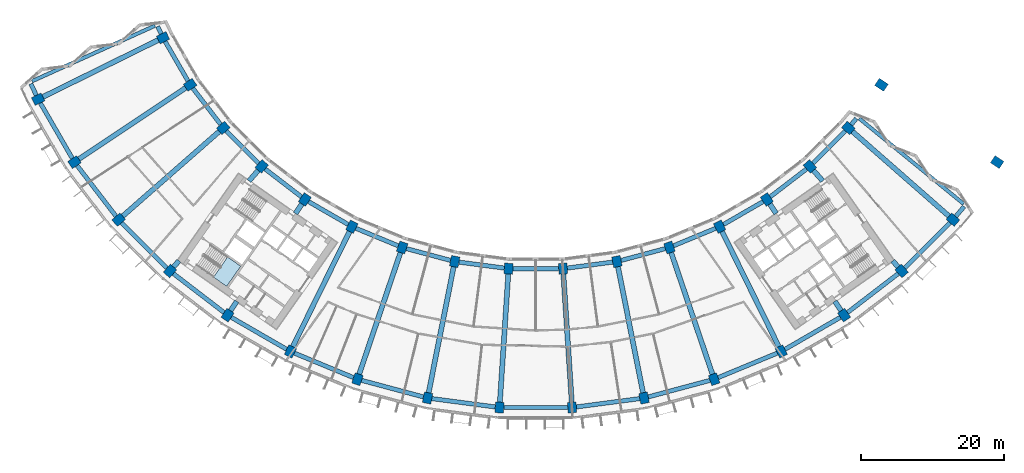
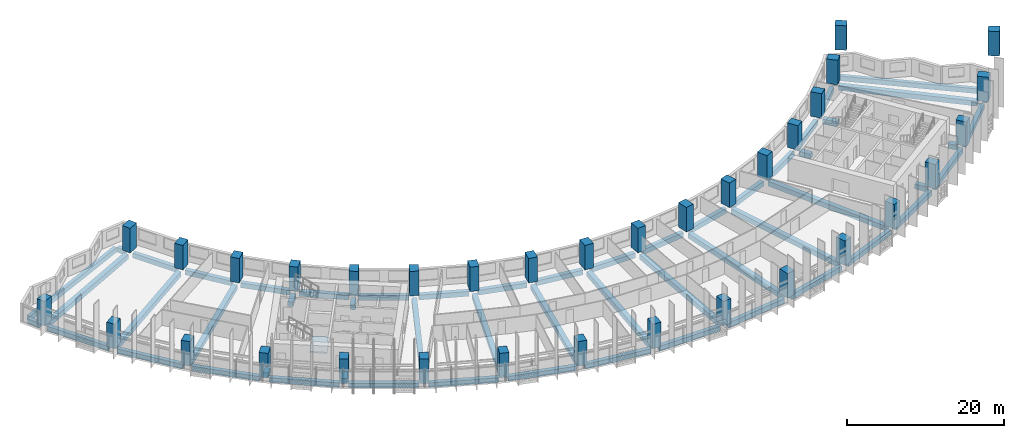
# One storey, part 1 of 30: 56 beams, 34 columns, 1 slab, 1 element without a shape of its own.
"""IFC4 building model written with IfcOpenShell, lengths in metres."""

from ifc_helpers import new_model, si_unit, direction, frame, origin, origin_2d, place, context, subcontext, project, spatial, polyline, rectangle, outline, extrude, material, layer, layer_set, material_profile, profile_set, type_object, element, aggregate, save


model = new_model("IFC4")

# Units and contexts
model_context = context("Model", 3, precision=1e-05, world=origin(), true_north=direction((0.0, 1.0)))
body_context = subcontext(model_context, "Body", "Model", "MODEL_VIEW")
ifc_project = project(units=[si_unit("LENGTHUNIT", "METRE"), si_unit("AREAUNIT", "SQUARE_METRE"), si_unit("VOLUMEUNIT", "CUBIC_METRE"), si_unit("PLANEANGLEUNIT", "RADIAN"), si_unit("MASSUNIT", "GRAM", prefix="KILO")], contexts=[model_context])

# Site, building, storey
site_placement = place(None, origin())
site = spatial("IfcSite", under=ifc_project, at=site_placement, CompositionType="ELEMENT")
building_placement = place(site_placement, origin())
building = spatial("IfcBuilding", under=site, at=building_placement, Name="Qamariyya Broadcast Tower", CompositionType="ELEMENT")
storey_placement = place(building_placement, frame((0.0, 0.0, 117.699951171875)))
storey = spatial("IfcBuildingStorey", under=building, at=storey_placement, Name="L26", CompositionType="ELEMENT", Elevation=117.699951171875)

# Columns
ifc_material_1 = material(Name="Concrete C70/85", Category="concrete")
ifc_material_profile_1 = material_profile(ifc_material_1, rectangle(XDim=1.199951171875, YDim=1.5, at=origin_2d()))
ifc_profile_set_1 = profile_set([ifc_material_profile_1], Name="Concrete C70/85")
column_type = type_object("IfcColumnType", Name="RC column 1200 x 1500 C70/85", PredefinedType="COLUMN", material=ifc_profile_set_1)
for number, where, z_axis, x_axis, name in (
    (1, (-52.242919921875, -25.763427734375, 0.0), (0.0, 0.0, 1.0), (0.442288690219, -0.896872741533, 0.0), "Column C7 L26 B-R02"),
    (2, (-69.73193359375, -34.387939453125, 0.0), (0.0, 0.0, 1.0), (0.442288690219, -0.896872741533, 0.0), "Column C7 L26 C-R02"),
    (3, (-48.43310546875, -32.362060546875, 0.0), (0.0, 0.0, 1.0), (0.55557023302, -0.831469612303, 0.0), "Column C7 L26 B-R03"),
    (4, (-64.646728515625, -43.195556640625, 0.0), (0.0, 0.0, 1.0), (0.55557023302, -0.831469612303, 0.0), "Column C7 L26 C-R03"),
    (5, (-43.794677734375, -38.406982421875, 0.0), (0.0, 0.0, 1.0), (0.6593458151, -0.751839807479, 0.0), "Column C7 L26 B-R04"),
    (6, (-58.45556640625, -51.26416015625, 0.0), (0.0, 0.0, 1.0), (0.6593458151, -0.751839807479, 0.0), "Column C7 L26 C-R04"),
    (7, (-38.406982421875, -43.794677734375, 0.0), (0.0, 0.0, 1.0), (0.751839807479, -0.6593458151, 0.0), "Column C7 L26 B-R05"),
    (8, (-51.26416015625, -58.45556640625, 0.0), (0.0, 0.0, 1.0), (0.751839807479, -0.6593458151, 0.0), "Column C7 L26 C-R05"),
    (9, (-32.362060546875, -48.43310546875, 0.0), (0.0, 0.0, 1.0), (0.831469612303, -0.55557023302, 0.0), "Column C7 L26 B-R06"),
    (10, (-43.195556640625, -64.646728515625, 0.0), (0.0, 0.0, 1.0), (0.831469612303, -0.55557023302, 0.0), "Column C7 L26 C-R06"),
    (11, (-25.763427734375, -52.242919921875, 0.0), (0.0, 0.0, 1.0), (0.896872741533, -0.442288690219, 0.0), "Column C7 L26 B-R07"),
    (12, (-34.387939453125, -69.73193359375, 0.0), (0.0, 0.0, 1.0), (0.896872741533, -0.442288690219, 0.0), "Column C7 L26 C-R07"),
    (13, (-18.723876953125, -55.15869140625, 0.0), (0.0, 0.0, 1.0), (0.946930129495, -0.321439465303, 0.0), "Column C7 L26 B-R08"),
    (14, (-24.991943359375, -73.623779296875, 0.0), (0.0, 0.0, 1.0), (0.946930129495, -0.321439465303, 0.0), "Column C7 L26 C-R08"),
    (15, (-11.364013671875, -57.130859375, 0.0), (0.0, 0.0, 1.0), (0.980785280403, -0.195090322016, 0.0), "Column C7 L26 B-R09"),
    (16, (-15.168212890625, -76.256103515625, 0.0), (0.0, 0.0, 1.0), (0.980785280403, -0.195090322016, 0.0), "Column C7 L26 C-R09"),
    (17, (-3.809814453125, -58.125244140625, 0.0), (0.0, 0.0, 1.0), (0.997858923239, -0.06540312923, 0.0), "Column C7 L26 B-R10"),
    (18, (-5.085205078125, -77.58349609375, 0.0), (0.0, 0.0, 1.0), (0.997858923239, -0.06540312923, 0.0), "Column C7 L26 C-R10"),
    (19, (3.809814453125, -58.125244140625, 0.0), (0.0, 0.0, 1.0), (0.997858923239, 0.06540312923, 0.0), "Column C7 L26 B-R11"),
    (20, (5.085205078125, -77.58349609375, 0.0), (0.0, 0.0, 1.0), (0.997858923239, 0.06540312923, 0.0), "Column C7 L26 C-R11"),
    (21, (11.364013671875, -57.130859375, 0.0), (0.0, 0.0, 1.0), (0.980785280403, 0.195090322016, 0.0), "Column C7 L26 B-R12"),
    (22, (15.168212890625, -76.256103515625, 0.0), (0.0, 0.0, 1.0), (0.980785280403, 0.195090322016, 0.0), "Column C7 L26 C-R12"),
    (23, (18.723876953125, -55.15869140625, 0.0), (0.0, 0.0, 1.0), (0.946930129495, 0.321439465303, 0.0), "Column C7 L26 B-R13"),
    (24, (24.991943359375, -73.623779296875, 0.0), (0.0, 0.0, 1.0), (0.946930129495, 0.321439465303, 0.0), "Column C7 L26 C-R13"),
    (25, (25.763427734375, -52.242919921875, 0.0), (0.0, 0.0, 1.0), (0.896872741533, 0.442288690219, 0.0), "Column C7 L26 B-R14"),
    (26, (34.387939453125, -69.73193359375, 0.0), (0.0, 0.0, 1.0), (0.896872741533, 0.442288690219, 0.0), "Column C7 L26 C-R14"),
    (27, (32.362060546875, -48.43310546875, 0.0), (0.0, 0.0, 1.0), (0.831469612303, 0.55557023302, 0.0), "Column C7 L26 B-R15"),
    (28, (43.195556640625, -64.646728515625, 0.0), (0.0, 0.0, 1.0), (0.831469612303, 0.55557023302, 0.0), "Column C7 L26 C-R15"),
    (29, (38.406982421875, -43.794677734375, 0.0), (0.0, 0.0, 1.0), (0.751839807479, 0.6593458151, 0.0), "Column C7 L26 B-R16"),
    (30, (51.26416015625, -58.45556640625, 0.0), (0.0, 0.0, 1.0), (0.751839807479, 0.6593458151, 0.0), "Column C7 L26 C-R16"),
    (31, (43.794677734375, -38.406982421875, 0.0), (0.0, 0.0, 1.0), (0.6593458151, 0.751839807479, 0.0), "Column C7 L26 B-R17"),
    (32, (58.45556640625, -51.26416015625, 0.0), (0.0, 0.0, 1.0), (0.6593458151, 0.751839807479, 0.0), "Column C7 L26 C-R17"),
    (33, (48.43310546875, -32.362060546875, 0.0), (0.0, 0.0, 1.0), (0.55557023302, 0.831469612303, 0.0), "Column C7 L26 B-R18"),
    (34, (64.646728515625, -43.195556640625, 0.0), (0.0, 0.0, 1.0), (0.55557023302, 0.831469612303, 0.0), "Column C7 L26 C-R18"),
):
    element("IfcColumn", number, at=place(storey_placement, frame(where, z_axis=z_axis, x_axis=x_axis)), inside=storey, type_object=column_type, Name=name, PredefinedType="COLUMN", context=body_context, shape_type="SweptSolid", body=[
        extrude(rectangle(XDim=1.199951171875, YDim=1.5, at=origin_2d()), origin(), (0.0, 0.0, 1.0), 3.800048828125),
    ])

# Beams
ifc_material_2 = material(Name="Concrete C50/60", Category="concrete")
ifc_material_profile_2 = material_profile(ifc_material_2, rectangle(XDim=0.60009765625, YDim=0.75, at=origin_2d()))
ifc_profile_set_2 = profile_set([ifc_material_profile_2], Name="Concrete C50/60")
beam_type_1 = type_object("IfcBeamType", Name="RC edge beam 600 x 750 C50/60", PredefinedType="SPANDREL", material=ifc_profile_set_2)
for number, where, z_axis, x_axis, name in (
    (35, (-51.942138671875, -26.283935546875, -0.675048828125), (0.49999360328, -0.866029096901, 0.0), (0.866029096901, 0.49999360328, 0.0), "Edge beam B15 L26 B R02-R03"),
    (36, (-48.067138671875, -32.839111328125, -0.675048828125), (0.608778135192, -0.793340520906, 0.0), (0.793340520906, 0.608778135192, 0.0), "Edge beam B15 L26 B R03-R04"),
):
    element("IfcBeam", number, at=place(storey_placement, frame(where, z_axis=z_axis, x_axis=x_axis)), inside=storey, type_object=beam_type_1, Name=name, PredefinedType="SPANDREL", context=body_context, shape_type="SweptSolid", body=[
        extrude(rectangle(XDim=0.60009765625, YDim=0.75, at=origin_2d()), origin(), (0.0, 0.0, 1.0), 6.4169921875),
    ])
beam_1_placement = place(storey_placement, frame((-43.369384765625, -38.83203125, -0.675048828125), z_axis=(0.707106781187, -0.707106781187, 0.0), x_axis=(0.707106781187, 0.707106781187, 0.0)))
element("IfcBeam", 37, at=beam_1_placement, inside=storey, type_object=beam_type_1, Name="Edge beam B15 L26 B R04-R05", PredefinedType="SPANDREL", context=body_context, shape_type="SweptSolid", body=[
    extrude(rectangle(XDim=0.60009765625, YDim=0.75, at=origin_2d()), origin(), (0.0, 0.0, 1.0), 6.416748046875),
])
for number, where, z_axis, x_axis, name in (
    (38, (-37.929931640625, -44.16064453125, -0.675048828125), (0.793340520906, -0.608778135192, 0.0), (0.608778135192, 0.793340520906, 0.0), "Edge beam B15 L26 B R05-R06"),
    (39, (-31.84130859375, -48.733642578125, -0.675048828125), (0.866029096901, -0.49999360328, 0.0), (0.49999360328, 0.866029096901, 0.0), "Edge beam B15 L26 B R06-R07"),
    (40, (-25.207763671875, -52.472900390625, -0.675048828125), (0.923884212686, -0.382672133229, 0.0), (0.382672133229, 0.923884212686, 0.0), "Edge beam B15 L26 B R07-R08"),
    (41, (-18.14306640625, -55.314208984375, -0.675048828125), (0.965922916603, -0.258829903956, 0.0), (0.258829903956, 0.965922916603, 0.0), "Edge beam B15 L26 B R08-R09"),
    (42, (-10.767822265625, -57.209228515625, -0.675048828125), (0.991443543958, -0.1305361986, 0.0), (0.1305361986, 0.991443543958, 0.0), "Edge beam B15 L26 B R09-R10"),
    (43, (-3.20849609375, -58.125244140625, -0.675048828125), (1.0, 0.0, 0.0), (0.0, 1.0, 0.0), "Edge beam B15 L26 B R10-R11"),
    (44, (4.40576171875, -58.046875, -0.675048828125), (0.991443543958, 0.1305361986, 0.0), (-0.1305361986, 0.991443543958, 0.0), "Edge beam B15 L26 B R11-R12"),
    (45, (11.94482421875, -56.97509765625, -0.675048828125), (0.965922916603, 0.258829903956, 0.0), (-0.258829903956, 0.965922916603, 0.0), "Edge beam B15 L26 B R12-R13"),
    (46, (19.279296875, -54.928466796875, -0.675048828125), (0.923884212686, 0.382672133229, 0.0), (-0.382672133229, 0.923884212686, 0.0), "Edge beam B15 L26 B R13-R14"),
    (47, (26.283935546875, -51.942138671875, -0.675048828125), (0.866029096901, 0.49999360328, 0.0), (-0.49999360328, 0.866029096901, 0.0), "Edge beam B15 L26 B R14-R15"),
    (48, (32.839111328125, -48.067138671875, -0.675048828125), (0.793340520906, 0.608778135192, 0.0), (-0.608778135192, 0.793340520906, 0.0), "Edge beam B15 L26 B R15-R16"),
):
    element("IfcBeam", number, at=place(storey_placement, frame(where, z_axis=z_axis, x_axis=x_axis)), inside=storey, type_object=beam_type_1, Name=name, PredefinedType="SPANDREL", context=body_context, shape_type="SweptSolid", body=[
        extrude(rectangle(XDim=0.60009765625, YDim=0.75, at=origin_2d()), origin(), (0.0, 0.0, 1.0), 6.4169921875),
    ])
beam_2_placement = place(storey_placement, frame((38.83203125, -43.369384765625, -0.675048828125), z_axis=(0.707106781187, 0.707106781187, 0.0), x_axis=(-0.707106781187, 0.707106781187, 0.0)))
element("IfcBeam", 49, at=beam_2_placement, inside=storey, type_object=beam_type_1, Name="Edge beam B15 L26 B R16-R17", PredefinedType="SPANDREL", context=body_context, shape_type="SweptSolid", body=[
    extrude(rectangle(XDim=0.60009765625, YDim=0.75, at=origin_2d()), origin(), (0.0, 0.0, 1.0), 6.416748046875),
])
beam_3_placement = place(storey_placement, frame((-69.43115234375, -34.90869140625, -0.675048828125), z_axis=(0.499989544228, -0.866031440343, 0.0), x_axis=(0.866031440343, 0.499989544228, 0.0)))
element("IfcBeam", 50, at=beam_3_placement, inside=storey, type_object=beam_type_1, Name="Edge beam B15 L26 C R02-R03", PredefinedType="SPANDREL", context=body_context, shape_type="SweptSolid", body=[
    extrude(rectangle(XDim=0.60009765625, YDim=0.75, at=origin_2d()), origin(), (0.0, 0.0, 1.0), 8.967529296875),
])
beam_4_placement = place(storey_placement, frame((-64.28076171875, -43.672607421875, -0.675048828125), z_axis=(0.608766985019, -0.793349076984, 0.0), x_axis=(0.793349076984, 0.608766985019, 0.0)))
element("IfcBeam", 51, at=beam_4_placement, inside=storey, type_object=beam_type_1, Name="Edge beam B15 L26 C R03-R04", PredefinedType="SPANDREL", context=body_context, shape_type="SweptSolid", body=[
    extrude(rectangle(XDim=0.60009765625, YDim=0.75, at=origin_2d()), origin(), (0.0, 0.0, 1.0), 8.9677734375),
])
beam_5_placement = place(storey_placement, frame((-58.0302734375, -51.689208984375, -0.675048828125), z_axis=(0.707106781187, -0.707106781187, 0.0), x_axis=(0.707106781187, 0.707106781187, 0.0)))
element("IfcBeam", 52, at=beam_5_placement, inside=storey, type_object=beam_type_1, Name="Edge beam B15 L26 C R04-R05", PredefinedType="SPANDREL", context=body_context, shape_type="SweptSolid", body=[
    extrude(rectangle(XDim=0.60009765625, YDim=0.75, at=origin_2d()), origin(), (0.0, 0.0, 1.0), 8.967529296875),
])
beam_6_placement = place(storey_placement, frame((-50.787109375, -58.821533203125, -0.675048828125), z_axis=(0.793349076984, -0.608766985019, 0.0), x_axis=(0.608766985019, 0.793349076984, 0.0)))
element("IfcBeam", 53, at=beam_6_placement, inside=storey, type_object=beam_type_1, Name="Edge beam B15 L26 C R05-R06", PredefinedType="SPANDREL", context=body_context, shape_type="SweptSolid", body=[
    extrude(rectangle(XDim=0.60009765625, YDim=0.75, at=origin_2d()), origin(), (0.0, 0.0, 1.0), 8.9677734375),
])
beam_7_placement = place(storey_placement, frame((-42.6748046875, -64.947509765625, -0.675048828125), z_axis=(0.866031440343, -0.499989544228, 0.0), x_axis=(0.499989544228, 0.866031440343, 0.0)))
element("IfcBeam", 54, at=beam_7_placement, inside=storey, type_object=beam_type_1, Name="Edge beam B15 L26 C R06-R07", PredefinedType="SPANDREL", context=body_context, shape_type="SweptSolid", body=[
    extrude(rectangle(XDim=0.60009765625, YDim=0.75, at=origin_2d()), origin(), (0.0, 0.0, 1.0), 8.967529296875),
])
beam_8_placement = place(storey_placement, frame((-33.83251953125, -69.9619140625, -0.675048828125), z_axis=(0.923877140182, -0.382689207907, 0.0), x_axis=(0.382689207907, 0.923877140182, 0.0)))
element("IfcBeam", 55, at=beam_8_placement, inside=storey, type_object=beam_type_1, Name="Edge beam B15 L26 C R07-R08", PredefinedType="SPANDREL", context=body_context, shape_type="SweptSolid", body=[
    extrude(rectangle(XDim=0.60009765625, YDim=0.75, at=origin_2d()), origin(), (0.0, 0.0, 1.0), 8.9677734375),
])
for number, where, z_axis, x_axis, name in (
    (56, (-24.4111328125, -73.779541015625, -0.675048828125), (0.965931525183, -0.258797775603, 0.0), (0.258797775603, 0.965931525183, 0.0), "Edge beam B15 L26 C R08-R09"),
    (57, (-14.572021484375, -76.33447265625, -0.675048828125), (0.991442708618, -0.130542542983, 0.0), (0.130542542983, 0.991442708618, 0.0), "Edge beam B15 L26 C R09-R10"),
):
    element("IfcBeam", number, at=place(storey_placement, frame(where, z_axis=z_axis, x_axis=x_axis)), inside=storey, type_object=beam_type_1, Name=name, PredefinedType="SPANDREL", context=body_context, shape_type="SweptSolid", body=[
        extrude(rectangle(XDim=0.60009765625, YDim=0.75, at=origin_2d()), origin(), (0.0, 0.0, 1.0), 8.967529296875),
    ])
beam_9_placement = place(storey_placement, frame((-4.48388671875, -77.58349609375, -0.675048828125), z_axis=(1.0, 0.0, 0.0), x_axis=(0.0, 1.0, 0.0)))
element("IfcBeam", 58, at=beam_9_placement, inside=storey, type_object=beam_type_1, Name="Edge beam B15 L26 C R10-R11", PredefinedType="SPANDREL", context=body_context, shape_type="SweptSolid", body=[
    extrude(rectangle(XDim=0.60009765625, YDim=0.75, at=origin_2d()), origin(), (0.0, 0.0, 1.0), 8.9677734375),
])
for number, where, z_axis, x_axis, name in (
    (59, (5.68115234375, -77.505126953125, -0.675048828125), (0.991442708618, 0.130542542983, 0.0), (-0.130542542983, 0.991442708618, 0.0), "Edge beam B15 L26 C R11-R12"),
    (60, (15.7490234375, -76.100341796875, -0.675048828125), (0.965931525183, 0.258797775603, 0.0), (-0.258797775603, 0.965931525183, 0.0), "Edge beam B15 L26 C R12-R13"),
):
    element("IfcBeam", number, at=place(storey_placement, frame(where, z_axis=z_axis, x_axis=x_axis)), inside=storey, type_object=beam_type_1, Name=name, PredefinedType="SPANDREL", context=body_context, shape_type="SweptSolid", body=[
        extrude(rectangle(XDim=0.60009765625, YDim=0.75, at=origin_2d()), origin(), (0.0, 0.0, 1.0), 8.967529296875),
    ])
beam_10_placement = place(storey_placement, frame((25.54736328125, -73.393798828125, -0.675048828125), z_axis=(0.923877140182, 0.382689207907, 0.0), x_axis=(-0.382689207907, 0.923877140182, 0.0)))
element("IfcBeam", 61, at=beam_10_placement, inside=storey, type_object=beam_type_1, Name="Edge beam B15 L26 C R13-R14", PredefinedType="SPANDREL", context=body_context, shape_type="SweptSolid", body=[
    extrude(rectangle(XDim=0.60009765625, YDim=0.75, at=origin_2d()), origin(), (0.0, 0.0, 1.0), 8.9677734375),
])
beam_11_placement = place(storey_placement, frame((34.90869140625, -69.43115234375, -0.675048828125), z_axis=(0.866031440343, 0.499989544228, 0.0), x_axis=(-0.499989544228, 0.866031440343, 0.0)))
element("IfcBeam", 62, at=beam_11_placement, inside=storey, type_object=beam_type_1, Name="Edge beam B15 L26 C R14-R15", PredefinedType="SPANDREL", context=body_context, shape_type="SweptSolid", body=[
    extrude(rectangle(XDim=0.60009765625, YDim=0.75, at=origin_2d()), origin(), (0.0, 0.0, 1.0), 8.967529296875),
])
beam_12_placement = place(storey_placement, frame((43.672607421875, -64.28076171875, -0.675048828125), z_axis=(0.793349076984, 0.608766985019, 0.0), x_axis=(-0.608766985019, 0.793349076984, 0.0)))
element("IfcBeam", 63, at=beam_12_placement, inside=storey, type_object=beam_type_1, Name="Edge beam B15 L26 C R15-R16", PredefinedType="SPANDREL", context=body_context, shape_type="SweptSolid", body=[
    extrude(rectangle(XDim=0.60009765625, YDim=0.75, at=origin_2d()), origin(), (0.0, 0.0, 1.0), 8.9677734375),
])
beam_13_placement = place(storey_placement, frame((51.689208984375, -58.0302734375, -0.675048828125), z_axis=(0.707106781187, 0.707106781187, 0.0), x_axis=(-0.707106781187, 0.707106781187, 0.0)))
element("IfcBeam", 64, at=beam_13_placement, inside=storey, type_object=beam_type_1, Name="Edge beam B15 L26 C R16-R17", PredefinedType="SPANDREL", context=body_context, shape_type="SweptSolid", body=[
    extrude(rectangle(XDim=0.60009765625, YDim=0.75, at=origin_2d()), origin(), (0.0, 0.0, 1.0), 8.967529296875),
])
ifc_material_profile_3 = material_profile(ifc_material_2, rectangle(XDim=0.60009765625, YDim=0.75, at=origin_2d()))
ifc_profile_set_3 = profile_set([ifc_material_profile_3], Name="Concrete C50/60")
beam_type_2 = type_object("IfcBeamType", Name="RC horn beam 600 x 750 C50/60", PredefinedType="BEAM", material=ifc_profile_set_3)
beam_14_placement = place(storey_placement, frame((-52.4990234375, -25.220703125, -0.675048828125), z_axis=(-0.4268993776, 0.904299132701, 0.0), x_axis=(-0.904299132701, -0.4268993776, 0.0)))
element("IfcBeam", 65, at=beam_14_placement, inside=storey, type_object=beam_type_2, Name="Horn beam B14 L26 W B-R02", PredefinedType="BEAM", context=body_context, shape_type="SweptSolid", body=[
    extrude(rectangle(XDim=0.60009765625, YDim=0.75, at=origin_2d()), origin(), (0.0, 0.0, 1.0), 1.140869140625),
])
beam_15_placement = place(storey_placement, frame((-69.988037109375, -33.84521484375, -0.675048828125), z_axis=(-0.426889705381, 0.904303698677, 0.0), x_axis=(-0.904303698677, -0.426889705381, 0.0)))
element("IfcBeam", 66, at=beam_15_placement, inside=storey, type_object=beam_type_2, Name="Horn beam B14 L26 W C-R02", PredefinedType="BEAM", context=body_context, shape_type="SweptSolid", body=[
    extrude(rectangle(XDim=0.60009765625, YDim=0.75, at=origin_2d()), origin(), (0.0, 0.0, 1.0), 1.80712890625),
])
beam_16_placement = place(storey_placement, frame((44.1826171875, -37.948974609375, -0.675048828125), z_axis=(0.646373890526, 0.763020834346, 0.0), x_axis=(-0.763020834346, 0.646373890526, 0.0)))
element("IfcBeam", 67, at=beam_16_placement, inside=storey, type_object=beam_type_2, Name="Horn beam B14 L26 E B-R17", PredefinedType="BEAM", context=body_context, shape_type="SweptSolid", body=[
    extrude(rectangle(XDim=0.60009765625, YDim=0.75, at=origin_2d()), origin(), (0.0, 0.0, 1.0), 1.140625),
])
beam_17_placement = place(storey_placement, frame((58.843505859375, -50.80615234375, -0.675048828125), z_axis=(0.646408416373, 0.762991585303, 0.0), x_axis=(-0.762991585303, 0.646408416373, 0.0)))
element("IfcBeam", 68, at=beam_17_placement, inside=storey, type_object=beam_type_2, Name="Horn beam B14 L26 E C-R17", PredefinedType="BEAM", context=body_context, shape_type="SweptSolid", body=[
    extrude(rectangle(XDim=0.60009765625, YDim=0.75, at=origin_2d()), origin(), (0.0, 0.0, 1.0), 1.80712890625),
])
ifc_material_profile_4 = material_profile(ifc_material_2, rectangle(XDim=0.5, YDim=0.75, at=origin_2d()))
ifc_profile_set_4 = profile_set([ifc_material_profile_4], Name="Concrete C50/60")
beam_type_3 = type_object("IfcBeamType", Name="RC horn cap beam 500 x 750 C50/60", PredefinedType="BEAM", material=ifc_profile_set_4)
beam_18_placement = place(storey_placement, frame((-53.3662109375, -24.08642578125, -0.675048828125), z_axis=(-0.911461703485, -0.411384932977, 0.0), x_axis=(0.411384932977, -0.911461703485, 0.0)))
element("IfcBeam", 69, at=beam_18_placement, inside=storey, type_object=beam_type_3, Name="Horn cap beam B17 L26 W B-C", PredefinedType="BEAM", context=body_context, shape_type="SweptSolid", body=[
    extrude(rectangle(XDim=0.5, YDim=0.75, at=origin_2d()), origin(), (0.0, 0.0, 1.0), 18.89990234375),
])
beam_19_placement = place(storey_placement, frame((45.313720703125, -37.077880859375, -0.675048828125), z_axis=(0.773935428623, -0.633264520025, 0.0), x_axis=(0.633264520025, 0.773935428623, 0.0)))
element("IfcBeam", 70, at=beam_19_placement, inside=storey, type_object=beam_type_3, Name="Horn cap beam B17 L26 E B-C", PredefinedType="BEAM", context=body_context, shape_type="SweptSolid", body=[
    extrude(rectangle(XDim=0.5, YDim=0.75, at=origin_2d()), origin(), (0.0, 0.0, 1.0), 18.900146484375),
])
ifc_material_profile_5 = material_profile(ifc_material_2, rectangle(XDim=0.699951171875, YDim=0.75, at=origin_2d()))
ifc_profile_set_5 = profile_set([ifc_material_profile_5], Name="Concrete C50/60")
beam_type_4 = type_object("IfcBeamType", Name="RC radial beam 700 x 750 C50/60", PredefinedType="BEAM", material=ifc_profile_set_5)
beam_20_placement = place(storey_placement, frame((-52.91552734375, -26.094970703125, -0.675048828125), z_axis=(-0.896871386501, -0.442291437941, 0.0), x_axis=(0.442291437941, -0.896871386501, 0.0)))
element("IfcBeam", 71, at=beam_20_placement, inside=storey, type_object=beam_type_4, Name="Radial beam B13 L26 R02 B-C", PredefinedType="BEAM", context=body_context, shape_type="SweptSolid", body=[
    extrude(rectangle(XDim=0.699951171875, YDim=0.75, at=origin_2d()), origin(), (0.0, 0.0, 1.0), 17.999755859375),
])
beam_21_placement = place(storey_placement, frame((-49.056640625, -32.778564453125, -0.675048828125), z_axis=(-0.831471836778, -0.555566903843, 0.0), x_axis=(0.555566903843, -0.831471836778, 0.0)))
element("IfcBeam", 72, at=beam_21_placement, inside=storey, type_object=beam_type_4, Name="Radial beam B13 L26 R03 B-C", PredefinedType="BEAM", context=body_context, shape_type="SweptSolid", body=[
    extrude(rectangle(XDim=0.699951171875, YDim=0.75, at=origin_2d()), origin(), (0.0, 0.0, 1.0), 18.0),
])
beam_22_placement = place(storey_placement, frame((-44.358642578125, -38.9013671875, -0.675048828125), z_axis=(-0.751837671483, -0.659348250729, 0.0), x_axis=(0.659348250729, -0.751837671483, 0.0)))
element("IfcBeam", 73, at=beam_22_placement, inside=storey, type_object=beam_type_4, Name="Radial beam B13 L26 R04 B-C", PredefinedType="BEAM", context=body_context, shape_type="SweptSolid", body=[
    extrude(rectangle(XDim=0.699951171875, YDim=0.75, at=origin_2d()), origin(), (0.0, 0.0, 1.0), 17.999755859375),
])
beam_23_placement = place(storey_placement, frame((-38.9013671875, -44.358642578125, -0.675048828125), z_axis=(-0.659376140982, -0.751813211312, 0.0), x_axis=(0.751813211312, -0.659376140982, 0.0)))
element("IfcBeam", 74, at=beam_23_placement, inside=storey, type_object=beam_type_4, Name="Radial beam B13 L26 R05 B-C", PredefinedType="BEAM", context=body_context, shape_type="SweptSolid", body=[
    extrude(rectangle(XDim=0.699951171875, YDim=0.75, at=origin_2d()), origin(), (0.0, 0.0, 1.0), 1.96240234375),
])
beam_24_placement = place(storey_placement, frame((-50.011962890625, -57.027587890625, -0.675048828125), z_axis=(-0.659271387296, -0.751905072395, 0.0), x_axis=(0.751905072395, -0.659271387296, 0.0)))
element("IfcBeam", 75, at=beam_24_placement, inside=storey, type_object=beam_type_4, Name="Radial beam B13 L26 R05 B-C", PredefinedType="BEAM", context=body_context, shape_type="SweptSolid", body=[
    extrude(rectangle(XDim=0.699951171875, YDim=0.75, at=origin_2d()), origin(), (0.0, 0.0, 1.0), 1.149169921875),
])
beam_25_placement = place(storey_placement, frame((-32.778564453125, -49.056640625, -0.675048828125), z_axis=(-0.555537373717, -0.831491567248, 0.0), x_axis=(0.831491567248, -0.555537373717, 0.0)))
element("IfcBeam", 76, at=beam_25_placement, inside=storey, type_object=beam_type_4, Name="Radial beam B13 L26 R06 B-C", PredefinedType="BEAM", context=body_context, shape_type="SweptSolid", body=[
    extrude(rectangle(XDim=0.699951171875, YDim=0.75, at=origin_2d()), origin(), (0.0, 0.0, 1.0), 1.614501953125),
])
beam_26_placement = place(storey_placement, frame((-41.89990234375, -62.707763671875, -0.675048828125), z_axis=(-0.555554602959, -0.831480055762, 0.0), x_axis=(0.831480055762, -0.555554602959, 0.0)))
element("IfcBeam", 77, at=beam_26_placement, inside=storey, type_object=beam_type_4, Name="Radial beam B13 L26 R06 B-C", PredefinedType="BEAM", context=body_context, shape_type="SweptSolid", body=[
    extrude(rectangle(XDim=0.699951171875, YDim=0.75, at=origin_2d()), origin(), (0.0, 0.0, 1.0), 1.58203125),
])
beam_27_placement = place(storey_placement, frame((-26.094970703125, -52.91552734375, -0.675048828125), z_axis=(-0.442291437941, -0.896871386501, 0.0), x_axis=(0.896871386501, -0.442291437941, 0.0)))
element("IfcBeam", 78, at=beam_27_placement, inside=storey, type_object=beam_type_4, Name="Radial beam B13 L26 R07 B-C", PredefinedType="BEAM", context=body_context, shape_type="SweptSolid", body=[
    extrude(rectangle(XDim=0.699951171875, YDim=0.75, at=origin_2d()), origin(), (0.0, 0.0, 1.0), 17.999755859375),
])
beam_28_placement = place(storey_placement, frame((-18.96484375, -55.868896484375, -0.675048828125), z_axis=(-0.321439476461, -0.946930125707, 0.0), x_axis=(0.946930125707, -0.321439476461, 0.0)))
element("IfcBeam", 79, at=beam_28_placement, inside=storey, type_object=beam_type_4, Name="Radial beam B13 L26 R08 B-C", PredefinedType="BEAM", context=body_context, shape_type="SweptSolid", body=[
    extrude(rectangle(XDim=0.699951171875, YDim=0.75, at=origin_2d()), origin(), (0.0, 0.0, 1.0), 18.0),
])
beam_29_placement = place(storey_placement, frame((-11.51025390625, -57.8662109375, -0.675048828125), z_axis=(-0.195093569287, -0.980784634475, 0.0), x_axis=(0.980784634475, -0.195093569287, 0.0)))
element("IfcBeam", 80, at=beam_29_placement, inside=storey, type_object=beam_type_4, Name="Radial beam B13 L26 R09 B-C", PredefinedType="BEAM", context=body_context, shape_type="SweptSolid", body=[
    extrude(rectangle(XDim=0.699951171875, YDim=0.75, at=origin_2d()), origin(), (0.0, 0.0, 1.0), 18.000244140625),
])
for number, where, z_axis, x_axis, name in (
    (81, (-3.85888671875, -58.873779296875, -0.675048828125), (-0.065402689504, -0.99785895206, 0.0), (0.99785895206, -0.065402689504, 0.0), "Radial beam B13 L26 R10 B-C"),
    (82, (3.85888671875, -58.873779296875, -0.675048828125), (0.065402689504, -0.99785895206, 0.0), (0.99785895206, 0.065402689504, 0.0), "Radial beam B13 L26 R11 B-C"),
):
    element("IfcBeam", number, at=place(storey_placement, frame(where, z_axis=z_axis, x_axis=x_axis)), inside=storey, type_object=beam_type_4, Name=name, PredefinedType="BEAM", context=body_context, shape_type="SweptSolid", body=[
        extrude(rectangle(XDim=0.699951171875, YDim=0.75, at=origin_2d()), origin(), (0.0, 0.0, 1.0), 18.0),
    ])
beam_30_placement = place(storey_placement, frame((11.51025390625, -57.8662109375, -0.675048828125), z_axis=(0.195093569287, -0.980784634475, 0.0), x_axis=(0.980784634475, 0.195093569287, 0.0)))
element("IfcBeam", 83, at=beam_30_placement, inside=storey, type_object=beam_type_4, Name="Radial beam B13 L26 R12 B-C", PredefinedType="BEAM", context=body_context, shape_type="SweptSolid", body=[
    extrude(rectangle(XDim=0.699951171875, YDim=0.75, at=origin_2d()), origin(), (0.0, 0.0, 1.0), 18.000244140625),
])
beam_31_placement = place(storey_placement, frame((18.96484375, -55.868896484375, -0.675048828125), z_axis=(0.321439476461, -0.946930125707, 0.0), x_axis=(0.946930125707, 0.321439476461, 0.0)))
element("IfcBeam", 84, at=beam_31_placement, inside=storey, type_object=beam_type_4, Name="Radial beam B13 L26 R13 B-C", PredefinedType="BEAM", context=body_context, shape_type="SweptSolid", body=[
    extrude(rectangle(XDim=0.699951171875, YDim=0.75, at=origin_2d()), origin(), (0.0, 0.0, 1.0), 18.0),
])
beam_32_placement = place(storey_placement, frame((26.094970703125, -52.91552734375, -0.675048828125), z_axis=(0.442291437941, -0.896871386501, 0.0), x_axis=(0.896871386501, 0.442291437941, 0.0)))
element("IfcBeam", 85, at=beam_32_placement, inside=storey, type_object=beam_type_4, Name="Radial beam B13 L26 R14 B-C", PredefinedType="BEAM", context=body_context, shape_type="SweptSolid", body=[
    extrude(rectangle(XDim=0.699951171875, YDim=0.75, at=origin_2d()), origin(), (0.0, 0.0, 1.0), 17.999755859375),
])
beam_33_placement = place(storey_placement, frame((32.778564453125, -49.056640625, -0.675048828125), z_axis=(0.555537373717, -0.831491567248, 0.0), x_axis=(0.831491567248, 0.555537373717, 0.0)))
element("IfcBeam", 86, at=beam_33_placement, inside=storey, type_object=beam_type_4, Name="Radial beam B13 L26 R15 B-C", PredefinedType="BEAM", context=body_context, shape_type="SweptSolid", body=[
    extrude(rectangle(XDim=0.699951171875, YDim=0.75, at=origin_2d()), origin(), (0.0, 0.0, 1.0), 1.614501953125),
])
beam_34_placement = place(storey_placement, frame((41.89990234375, -62.707763671875, -0.675048828125), z_axis=(0.555554602959, -0.831480055762, 0.0), x_axis=(0.831480055762, 0.555554602959, 0.0)))
element("IfcBeam", 87, at=beam_34_placement, inside=storey, type_object=beam_type_4, Name="Radial beam B13 L26 R15 B-C", PredefinedType="BEAM", context=body_context, shape_type="SweptSolid", body=[
    extrude(rectangle(XDim=0.699951171875, YDim=0.75, at=origin_2d()), origin(), (0.0, 0.0, 1.0), 1.58203125),
])
beam_35_placement = place(storey_placement, frame((38.9013671875, -44.358642578125, -0.675048828125), z_axis=(0.659376140982, -0.751813211312, 0.0), x_axis=(0.751813211312, 0.659376140982, 0.0)))
element("IfcBeam", 88, at=beam_35_placement, inside=storey, type_object=beam_type_4, Name="Radial beam B13 L26 R16 B-C", PredefinedType="BEAM", context=body_context, shape_type="SweptSolid", body=[
    extrude(rectangle(XDim=0.699951171875, YDim=0.75, at=origin_2d()), origin(), (0.0, 0.0, 1.0), 1.96240234375),
])
beam_36_placement = place(storey_placement, frame((50.011962890625, -57.027587890625, -0.675048828125), z_axis=(0.659271387296, -0.751905072395, 0.0), x_axis=(0.751905072395, 0.659271387296, 0.0)))
element("IfcBeam", 89, at=beam_36_placement, inside=storey, type_object=beam_type_4, Name="Radial beam B13 L26 R16 B-C", PredefinedType="BEAM", context=body_context, shape_type="SweptSolid", body=[
    extrude(rectangle(XDim=0.699951171875, YDim=0.75, at=origin_2d()), origin(), (0.0, 0.0, 1.0), 1.149169921875),
])
beam_37_placement = place(storey_placement, frame((44.358642578125, -38.9013671875, -0.675048828125), z_axis=(0.751837671483, -0.659348250729, 0.0), x_axis=(0.659348250729, 0.751837671483, 0.0)))
element("IfcBeam", 90, at=beam_37_placement, inside=storey, type_object=beam_type_4, Name="Radial beam B13 L26 R17 B-C", PredefinedType="BEAM", context=body_context, shape_type="SweptSolid", body=[
    extrude(rectangle(XDim=0.699951171875, YDim=0.75, at=origin_2d()), origin(), (0.0, 0.0, 1.0), 17.999755859375),
])

# Stair, slab
stair_type = type_object("IfcStairType", Name="Exit stair 22 risers of 173 mm", PredefinedType="HALF_TURN_STAIR", material=ifc_material_2)
stair_placement = place(storey_placement, origin())
stair = element("IfcStair", 91, at=stair_placement, inside=storey, type_object=stair_type, Name="L26 Stair W1", PredefinedType="HALF_TURN_STAIR")
ifc_layer = layer(ifc_material_2, 0.199951171875)
ifc_layer_set = layer_set([ifc_layer], Name="Stair landing")
slab_type = type_object("IfcSlabType", Name="Stair landing", PredefinedType="LANDING", material=ifc_layer_set)
slab_placement = place(storey_placement, frame((0.0, 0.0, 1.699951171875)))
slab = element("IfcSlab", 92, at=slab_placement, type_object=slab_type, Name="ST-W1 landing 1", PredefinedType="LANDING", context=body_context, shape_type="SweptSolid", body=[
    extrude(outline(polyline([(-45.169677734375, -59.319580078125), (-43.3271484375, -60.609619140625), (-41.348388671875, -57.783447265625), (-43.19091796875, -56.493408203125), (-45.169677734375, -59.319580078125)])), origin(), (0.0, 0.0, 1.0), 0.2001953125),
])
aggregate(stair, [slab])

save(model, "model.ifc")
